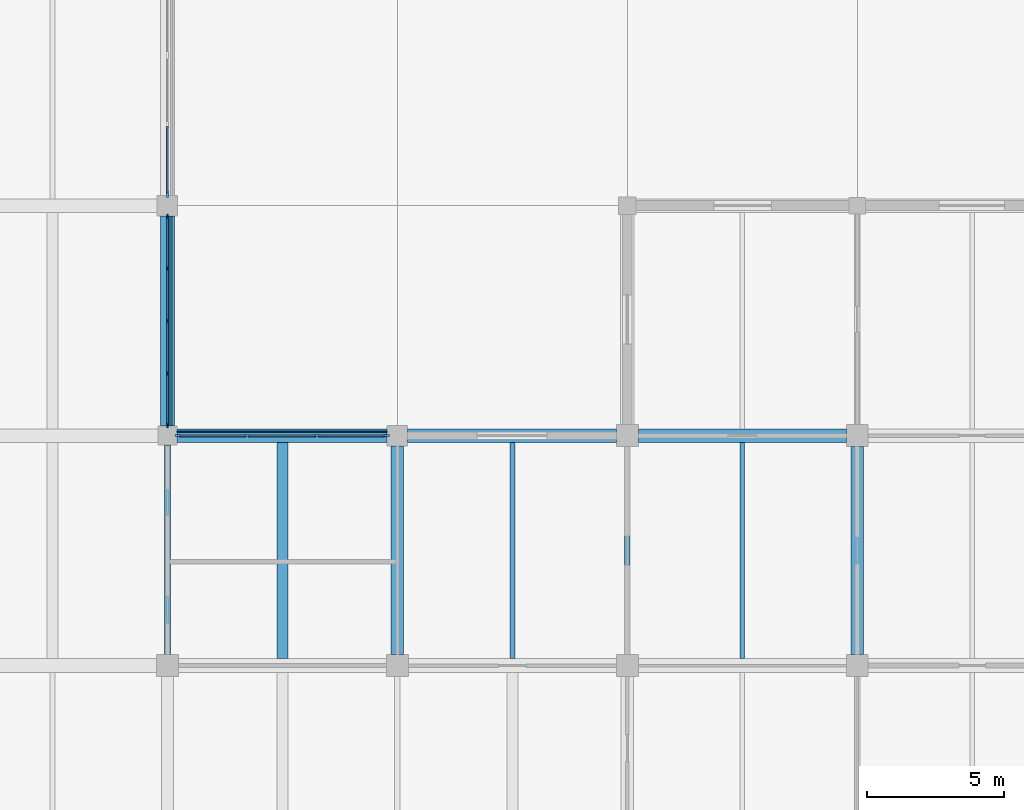
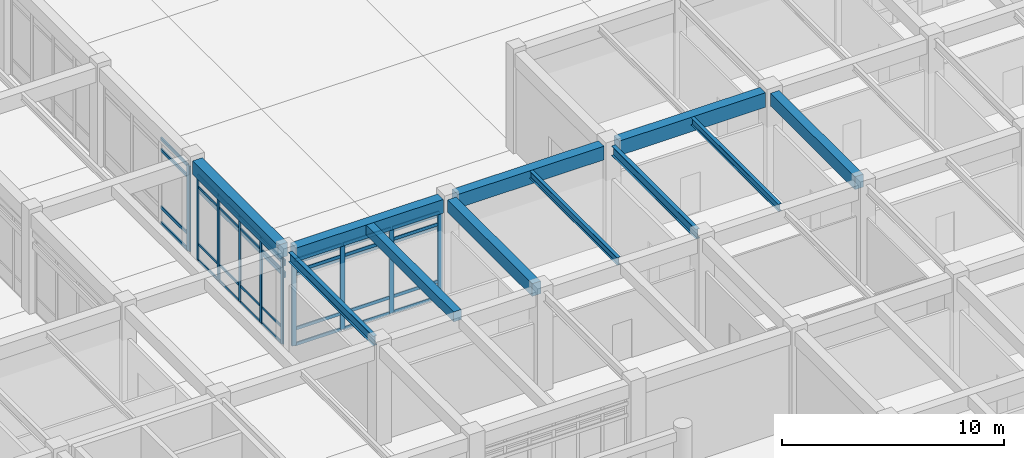
# One storey, part 38 of 91: 46 members, 11 beams, 3 elements without a shape of their own.
"""IFC4 building model written with IfcOpenShell, lengths in metres."""

from ifc_helpers import new_model, si_unit, direction, frame, origin, origin_2d, place, context, subcontext, project, spatial, rectangle, i_section, extrude, material, layer, layer_set, material_profile, profile_set, type_object, element, aggregate, save


model = new_model("IFC4")

# Units and contexts
model_context = context("Model", 3, precision=1e-05, world=origin(), true_north=direction((0.0, 1.0)))
body_context = subcontext(model_context, "Body", "Model", "MODEL_VIEW")
ifc_project = project(units=[si_unit("LENGTHUNIT", "METRE"), si_unit("AREAUNIT", "SQUARE_METRE"), si_unit("VOLUMEUNIT", "CUBIC_METRE"), si_unit("PLANEANGLEUNIT", "RADIAN"), si_unit("MASSUNIT", "GRAM", prefix="KILO")], contexts=[model_context])

# Site, building, storey
site_placement = place(None, origin())
site = spatial("IfcSite", under=ifc_project, at=site_placement, CompositionType="ELEMENT")
building_placement = place(site_placement, origin())
building = spatial("IfcBuilding", under=site, at=building_placement, Name="Porcellanite Civic Hall", CompositionType="ELEMENT")
storey_placement = place(building_placement, origin())
storey = spatial("IfcBuildingStorey", under=building, at=storey_placement, Name="L00", CompositionType="ELEMENT", Elevation=0.0)

# Beams
ifc_material_1 = material(Name="Concrete N50 (50 MPa)", Category="concrete")
ifc_material_profile_1 = material_profile(ifc_material_1, rectangle(XDim=0.39990234375, YDim=0.550048828125, at=origin_2d()), Name="RC-400x550")
ifc_profile_set_1 = profile_set([ifc_material_profile_1], Name="Concrete N50 (50 MPa)")
beam_type_1 = type_object("IfcBeamType", Name="BM-RC550", PredefinedType="JOIST", material=ifc_profile_set_1)
beam_1_placement = place(storey_placement, frame((130.199951171875, 59.049560546875, 5.22509765625), z_axis=(0.0, 1.0, 0.0), x_axis=(-1.0, 0.0, 0.0)))
element("IfcBeam", 1, at=beam_1_placement, inside=storey, type_object=beam_type_1, Name="Secondary joist L00 16-8", PredefinedType="JOIST", context=body_context, shape_type="SweptSolid", body=[
    extrude(rectangle(XDim=0.39990234375, YDim=0.550048828125, at=origin_2d()), origin(), (0.0, 0.0, 1.0), 7.90087890625),
])
ifc_material_2 = material(Name="Concrete N50 (50 MPa)", Category="concrete")
ifc_material_profile_2 = material_profile(ifc_material_2, rectangle(XDim=0.449951171875, YDim=0.699951171875, at=origin_2d()), Name="RC-450x700")
ifc_profile_set_2 = profile_set([ifc_material_profile_2], Name="Concrete N50 (50 MPa)")
beam_type_2 = type_object("IfcBeamType", Name="BM-RC700", PredefinedType="BEAM", material=ifc_profile_set_2)
beam_2_placement = place(storey_placement, frame((134.39990234375, 59.199462890625, 5.14990234375), z_axis=(0.0, 1.0, 0.0), x_axis=(-1.0, 0.0, 0.0)))
element("IfcBeam", 2, at=beam_2_placement, inside=storey, type_object=beam_type_2, Name="Beam Y L00 17-8", PredefinedType="BEAM", context=body_context, shape_type="SweptSolid", body=[
    extrude(rectangle(XDim=0.449951171875, YDim=0.699951171875, at=origin_2d()), origin(), (0.0, 0.0, 1.0), 7.6259765625),
])
beam_3_placement = place(storey_placement, frame((151.199951171875, 59.199462890625, 5.14990234375), z_axis=(0.0, 1.0, 0.0), x_axis=(-1.0, 0.0, 0.0)))
element("IfcBeam", 3, at=beam_3_placement, inside=storey, type_object=beam_type_2, Name="Beam Y L00 19-8", PredefinedType="BEAM", context=body_context, shape_type="SweptSolid", body=[
    extrude(rectangle(XDim=0.449951171875, YDim=0.699951171875, at=origin_2d()), origin(), (0.0, 0.0, 1.0), 7.60107421875),
])
ifc_material_3 = material(Name="Concrete N50 (50 MPa)", Category="concrete")
ifc_material_profile_3 = material_profile(ifc_material_3, rectangle(XDim=0.5, YDim=0.75, at=origin_2d()), Name="RC-500x750")
ifc_profile_set_3 = profile_set([ifc_material_profile_3], Name="Concrete N50 (50 MPa)")
beam_type_3 = type_object("IfcBeamType", Name="BM-RC750", PredefinedType="SPANDREL", material=ifc_profile_set_3)
beam_4_placement = place(storey_placement, frame((126.349609375, 67.199951171875, 5.125), z_axis=(1.0, 0.0, 0.0), x_axis=(0.0, 1.0, 0.0)))
element("IfcBeam", 4, at=beam_4_placement, inside=storey, type_object=beam_type_3, Name="Beam X L00 16-9", PredefinedType="SPANDREL", context=body_context, shape_type="SweptSolid", body=[
    extrude(rectangle(XDim=0.5, YDim=0.75, at=origin_2d()), origin(), (0.0, 0.0, 1.0), 7.67578125),
])
beam_5_placement = place(storey_placement, frame((134.7744140625, 67.199951171875, 5.125), z_axis=(1.0, 0.0, 0.0), x_axis=(0.0, 1.0, 0.0)))
element("IfcBeam", 5, at=beam_5_placement, inside=storey, type_object=beam_type_3, Name="Beam X L00 17-9", PredefinedType="SPANDREL", context=body_context, shape_type="SweptSolid", body=[
    extrude(rectangle(XDim=0.5, YDim=0.75, at=origin_2d()), origin(), (0.0, 0.0, 1.0), 7.6259765625),
])
beam_6_placement = place(storey_placement, frame((126.0, 67.549560546875, 5.125), z_axis=(0.0, 1.0, 0.0), x_axis=(-1.0, 0.0, 0.0)))
element("IfcBeam", 6, at=beam_6_placement, inside=storey, type_object=beam_type_3, Name="Beam Y L00 16-9", PredefinedType="SPANDREL", context=body_context, shape_type="SweptSolid", body=[
    extrude(rectangle(XDim=0.5, YDim=0.75, at=origin_2d()), origin(), (0.0, 0.0, 1.0), 7.676025390625),
])
ifc_material_4 = material(Name="Concrete N50 (50 MPa)", Category="concrete")
ifc_material_profile_4 = material_profile(ifc_material_4, rectangle(XDim=0.5, YDim=0.800048828125, at=origin_2d()), Name="RC-500x800")
ifc_profile_set_4 = profile_set([ifc_material_profile_4], Name="Concrete N50 (50 MPa)")
beam_type_4 = type_object("IfcBeamType", Name="BM-RC800", PredefinedType="BEAM", material=ifc_profile_set_4)
beam_7_placement = place(storey_placement, frame((143.199462890625, 67.199951171875, 5.10009765625), z_axis=(1.0, 0.0, 0.0), x_axis=(0.0, 1.0, 0.0)))
element("IfcBeam", 7, at=beam_7_placement, inside=storey, type_object=beam_type_4, Name="Beam X L00 18-9", PredefinedType="BEAM", context=body_context, shape_type="SweptSolid", body=[
    extrude(rectangle(XDim=0.5, YDim=0.800048828125, at=origin_2d()), origin(), (0.0, 0.0, 1.0), 7.60107421875),
])

# Curtain wall, member
ifc_material_5 = material(Name="Anodised aluminium and solar laminated glass", Category="aluminium")
ifc_layer_1 = layer(ifc_material_5, 0.179931640625)
ifc_layer_set_1 = layer_set([ifc_layer_1], Name="Anodised aluminium and solar laminated glass")
curtain_wall_type_1 = type_object("IfcCurtainWallType", Name="CW-SYS08", PredefinedType="NOTDEFINED", material=ifc_layer_set_1)
curtain_wall_1_placement = place(storey_placement, origin())
curtain_wall_1 = element("IfcCurtainWall", 8, at=curtain_wall_1_placement, inside=storey, type_object=curtain_wall_type_1, Name="Curtain wall CW-040", PredefinedType="NOTDEFINED")
ifc_material_6 = material(Name="Anodised aluminium 6063-T6", Category="aluminium")
ifc_material_profile_5 = material_profile(ifc_material_6, rectangle(XDim=0.080078125, YDim=0.239990234375, at=origin_2d()), Name="AL-80x240")
ifc_profile_set_5 = profile_set([ifc_material_profile_5], Name="Anodised aluminium 6063-T6")
member_type_1 = type_object("IfcMemberType", Name="CWM-01", PredefinedType="MULLION", material=ifc_profile_set_5)
member_1_placement = place(storey_placement, frame((126.0, 76.01611328125, 0.0), z_axis=(0.0, 0.0, 1.0), x_axis=(1.0, 0.0, 0.0)))
member_1 = element("IfcMember", 9, at=member_1_placement, type_object=member_type_1, Name="CW-040 mullion 4", PredefinedType="MULLION", context=body_context, shape_type="SweptSolid", body=[
    extrude(rectangle(XDim=0.080078125, YDim=0.239990234375, at=origin_2d()), origin(), (0.0, 0.0, 1.0), 4.699951171875),
])

# Curtain wall, members
curtain_wall_2_placement = place(storey_placement, origin())
curtain_wall_2 = element("IfcCurtainWall", 10, at=curtain_wall_2_placement, inside=storey, type_object=curtain_wall_type_1, Name="Curtain wall CW-046", PredefinedType="NOTDEFINED")
member_2_placement = place(storey_placement, frame((126.39111328125, 67.199951171875, 0.0), z_axis=(0.0, 0.0, 1.0), x_axis=(0.0, 1.0, 0.0)))
member_2 = element("IfcMember", 11, at=member_2_placement, type_object=member_type_1, Name="CW-046 mullion 1", PredefinedType="MULLION", context=body_context, shape_type="SweptSolid", body=[
    extrude(rectangle(XDim=0.080078125, YDim=0.239990234375, at=origin_2d()), origin(), (0.0, 0.0, 1.0), 4.699951171875),
])
member_3_placement = place(storey_placement, frame((128.90869140625, 67.199951171875, 0.0), z_axis=(0.0, 0.0, 1.0), x_axis=(0.0, 1.0, 0.0)))
member_3 = element("IfcMember", 12, at=member_3_placement, type_object=member_type_1, Name="CW-046 mullion 2", PredefinedType="MULLION", context=body_context, shape_type="SweptSolid", body=[
    extrude(rectangle(XDim=0.080078125, YDim=0.239990234375, at=origin_2d()), origin(), (0.0, 0.0, 1.0), 4.699951171875),
])
member_4_placement = place(storey_placement, frame((131.46630859375, 67.199951171875, 0.0), z_axis=(0.0, 0.0, 1.0), x_axis=(0.0, 1.0, 0.0)))
member_4 = element("IfcMember", 13, at=member_4_placement, type_object=member_type_1, Name="CW-046 mullion 3", PredefinedType="MULLION", context=body_context, shape_type="SweptSolid", body=[
    extrude(rectangle(XDim=0.080078125, YDim=0.239990234375, at=origin_2d()), origin(), (0.0, 0.0, 1.0), 4.699951171875),
])
member_5_placement = place(storey_placement, frame((133.98388671875, 67.199951171875, 0.0), z_axis=(0.0, 0.0, 1.0), x_axis=(0.0, 1.0, 0.0)))
member_5 = element("IfcMember", 14, at=member_5_placement, type_object=member_type_1, Name="CW-046 mullion 4", PredefinedType="MULLION", context=body_context, shape_type="SweptSolid", body=[
    extrude(rectangle(XDim=0.080078125, YDim=0.239990234375, at=origin_2d()), origin(), (0.0, 0.0, 1.0), 4.699951171875),
])

ifc_material_7 = material(Name="Anodised aluminium and solar laminated glass", Category="aluminium")
ifc_layer_2 = layer(ifc_material_7, 0.179931640625)
ifc_layer_set_2 = layer_set([ifc_layer_2], Name="Anodised aluminium and solar laminated glass")
curtain_wall_type_2 = type_object("IfcCurtainWallType", Name="CW-SYS06", PredefinedType="NOTDEFINED", material=ifc_layer_set_2)
curtain_wall_3_placement = place(storey_placement, origin())
curtain_wall_3 = element("IfcCurtainWall", 15, at=curtain_wall_3_placement, inside=storey, type_object=curtain_wall_type_2, Name="Curtain wall CW-038", PredefinedType="NOTDEFINED")
ifc_material_8 = material(Name="Anodised aluminium 6063-T6", Category="aluminium")
ifc_material_profile_6 = material_profile(ifc_material_8, rectangle(XDim=0.06494140625, YDim=0.179931640625, at=origin_2d()), Name="AL-65x180")
ifc_profile_set_6 = profile_set([ifc_material_profile_6], Name="Anodised aluminium 6063-T6")
member_type_2 = type_object("IfcMemberType", Name="CWM-06", PredefinedType="MULLION", material=ifc_profile_set_6)
member_6_placement = place(storey_placement, frame((126.0, 75.19140625, 0.0), z_axis=(0.0, 0.0, 1.0), x_axis=(1.0, 0.0, 0.0)))
member_6 = element("IfcMember", 16, at=member_6_placement, type_object=member_type_2, Name="CW-038 mullion 1", PredefinedType="MULLION", context=body_context, shape_type="SweptSolid", body=[
    extrude(rectangle(XDim=0.06494140625, YDim=0.179931640625, at=origin_2d()), origin(), (0.0, 0.0, 1.0), 4.699951171875),
])
member_7_placement = place(storey_placement, frame((126.0, 73.3056640625, 0.0), z_axis=(0.0, 0.0, 1.0), x_axis=(1.0, 0.0, 0.0)))
member_7 = element("IfcMember", 17, at=member_7_placement, type_object=member_type_2, Name="CW-038 mullion 2", PredefinedType="MULLION", context=body_context, shape_type="SweptSolid", body=[
    extrude(rectangle(XDim=0.06494140625, YDim=0.179931640625, at=origin_2d()), origin(), (0.0, 0.0, 1.0), 4.699951171875),
])
member_8_placement = place(storey_placement, frame((126.0, 71.387451171875, 0.0), z_axis=(0.0, 0.0, 1.0), x_axis=(1.0, 0.0, 0.0)))
member_8 = element("IfcMember", 18, at=member_8_placement, type_object=member_type_2, Name="CW-038 mullion 3", PredefinedType="MULLION", context=body_context, shape_type="SweptSolid", body=[
    extrude(rectangle(XDim=0.06494140625, YDim=0.179931640625, at=origin_2d()), origin(), (0.0, 0.0, 1.0), 4.699951171875),
])
member_9_placement = place(storey_placement, frame((126.0, 69.46923828125, 0.0), z_axis=(0.0, 0.0, 1.0), x_axis=(1.0, 0.0, 0.0)))
member_9 = element("IfcMember", 19, at=member_9_placement, type_object=member_type_2, Name="CW-038 mullion 4", PredefinedType="MULLION", context=body_context, shape_type="SweptSolid", body=[
    extrude(rectangle(XDim=0.06494140625, YDim=0.179931640625, at=origin_2d()), origin(), (0.0, 0.0, 1.0), 4.699951171875),
])
member_10_placement = place(storey_placement, frame((126.0, 67.58349609375, 0.0), z_axis=(0.0, 0.0, 1.0), x_axis=(1.0, 0.0, 0.0)))
member_10 = element("IfcMember", 20, at=member_10_placement, type_object=member_type_2, Name="CW-038 mullion 5", PredefinedType="MULLION", context=body_context, shape_type="SweptSolid", body=[
    extrude(rectangle(XDim=0.06494140625, YDim=0.179931640625, at=origin_2d()), origin(), (0.0, 0.0, 1.0), 4.699951171875),
])

# Member
ifc_material_9 = material(Name="Anodised aluminium 6063-T6", Category="aluminium")
ifc_material_profile_7 = material_profile(ifc_material_9, rectangle(XDim=0.070068359375, YDim=0.175048828125, at=origin_2d()), Name="AL-70x175")
ifc_profile_set_7 = profile_set([ifc_material_profile_7], Name="Anodised aluminium 6063-T6")
member_type_3 = type_object("IfcMemberType", Name="CWT-01", PredefinedType="USERDEFINED", material=ifc_profile_set_7)
member_11_placement = place(storey_placement, frame((126.0, 78.49365234375, 0.034912109375), z_axis=(0.0, -1.0, 0.0), x_axis=(1.0, 0.0, 0.0)))
member_11 = element("IfcMember", 21, at=member_11_placement, type_object=member_type_3, Name="CW-040 transom 3.1", ObjectType="TRANSOM", PredefinedType="USERDEFINED", context=body_context, shape_type="SweptSolid", body=[
    extrude(rectangle(XDim=0.070068359375, YDim=0.175048828125, at=origin_2d()), origin(), (0.0, 0.0, 1.0), 2.437744140625),
])

member_12_placement = place(storey_placement, frame((126.0, 78.49365234375, 0.89990234375), z_axis=(0.0, -1.0, 0.0), x_axis=(1.0, 0.0, 0.0)))
member_12 = element("IfcMember", 22, at=member_12_placement, type_object=member_type_3, Name="CW-040 transom 3.2", ObjectType="TRANSOM", PredefinedType="USERDEFINED", context=body_context, shape_type="SweptSolid", body=[
    extrude(rectangle(XDim=0.070068359375, YDim=0.175048828125, at=origin_2d()), origin(), (0.0, 0.0, 1.0), 2.437744140625),
])

member_13_placement = place(storey_placement, frame((126.0, 78.49365234375, 4.050048828125), z_axis=(0.0, -1.0, 0.0), x_axis=(1.0, 0.0, 0.0)))
member_13 = element("IfcMember", 23, at=member_13_placement, type_object=member_type_3, Name="CW-040 transom 3.3", ObjectType="TRANSOM", PredefinedType="USERDEFINED", context=body_context, shape_type="SweptSolid", body=[
    extrude(rectangle(XDim=0.070068359375, YDim=0.175048828125, at=origin_2d()), origin(), (0.0, 0.0, 1.0), 2.437744140625),
])

member_14_placement = place(storey_placement, frame((126.0, 78.49365234375, 4.6650390625), z_axis=(0.0, -1.0, 0.0), x_axis=(1.0, 0.0, 0.0)))
member_14 = element("IfcMember", 24, at=member_14_placement, type_object=member_type_3, Name="CW-040 transom 3.4", ObjectType="TRANSOM", PredefinedType="USERDEFINED", context=body_context, shape_type="SweptSolid", body=[
    extrude(rectangle(XDim=0.070068359375, YDim=0.175048828125, at=origin_2d()), origin(), (0.0, 0.0, 1.0), 2.437744140625),
])

aggregate(curtain_wall_1, [member_1, member_11, member_12, member_13, member_14])

member_15_placement = place(storey_placement, frame((126.430908203125, 67.199951171875, 0.034912109375), z_axis=(1.0, 0.0, 0.0), x_axis=(0.0, 1.0, 0.0)))
member_15 = element("IfcMember", 25, at=member_15_placement, type_object=member_type_3, Name="CW-046 transom 1.1", ObjectType="TRANSOM", PredefinedType="USERDEFINED", context=body_context, shape_type="SweptSolid", body=[
    extrude(rectangle(XDim=0.070068359375, YDim=0.175048828125, at=origin_2d()), origin(), (0.0, 0.0, 1.0), 2.437744140625),
])

member_16_placement = place(storey_placement, frame((126.430908203125, 67.199951171875, 0.89990234375), z_axis=(1.0, 0.0, 0.0), x_axis=(0.0, 1.0, 0.0)))
member_16 = element("IfcMember", 26, at=member_16_placement, type_object=member_type_3, Name="CW-046 transom 1.2", ObjectType="TRANSOM", PredefinedType="USERDEFINED", context=body_context, shape_type="SweptSolid", body=[
    extrude(rectangle(XDim=0.070068359375, YDim=0.175048828125, at=origin_2d()), origin(), (0.0, 0.0, 1.0), 2.437744140625),
])

member_17_placement = place(storey_placement, frame((126.430908203125, 67.199951171875, 4.050048828125), z_axis=(1.0, 0.0, 0.0), x_axis=(0.0, 1.0, 0.0)))
member_17 = element("IfcMember", 27, at=member_17_placement, type_object=member_type_3, Name="CW-046 transom 1.3", ObjectType="TRANSOM", PredefinedType="USERDEFINED", context=body_context, shape_type="SweptSolid", body=[
    extrude(rectangle(XDim=0.070068359375, YDim=0.175048828125, at=origin_2d()), origin(), (0.0, 0.0, 1.0), 2.437744140625),
])

member_18_placement = place(storey_placement, frame((126.430908203125, 67.199951171875, 4.6650390625), z_axis=(1.0, 0.0, 0.0), x_axis=(0.0, 1.0, 0.0)))
member_18 = element("IfcMember", 28, at=member_18_placement, type_object=member_type_3, Name="CW-046 transom 1.4", ObjectType="TRANSOM", PredefinedType="USERDEFINED", context=body_context, shape_type="SweptSolid", body=[
    extrude(rectangle(XDim=0.070068359375, YDim=0.175048828125, at=origin_2d()), origin(), (0.0, 0.0, 1.0), 2.437744140625),
])

member_19_placement = place(storey_placement, frame((128.94873046875, 67.199951171875, 0.034912109375), z_axis=(1.0, 0.0, 0.0), x_axis=(0.0, 1.0, 0.0)))
member_19 = element("IfcMember", 29, at=member_19_placement, type_object=member_type_3, Name="CW-046 transom 2.1", ObjectType="TRANSOM", PredefinedType="USERDEFINED", context=body_context, shape_type="SweptSolid", body=[
    extrude(rectangle(XDim=0.070068359375, YDim=0.175048828125, at=origin_2d()), origin(), (0.0, 0.0, 1.0), 2.4775390625),
])

member_20_placement = place(storey_placement, frame((128.94873046875, 67.199951171875, 0.89990234375), z_axis=(1.0, 0.0, 0.0), x_axis=(0.0, 1.0, 0.0)))
member_20 = element("IfcMember", 30, at=member_20_placement, type_object=member_type_3, Name="CW-046 transom 2.2", ObjectType="TRANSOM", PredefinedType="USERDEFINED", context=body_context, shape_type="SweptSolid", body=[
    extrude(rectangle(XDim=0.070068359375, YDim=0.175048828125, at=origin_2d()), origin(), (0.0, 0.0, 1.0), 2.4775390625),
])

member_21_placement = place(storey_placement, frame((128.94873046875, 67.199951171875, 4.050048828125), z_axis=(1.0, 0.0, 0.0), x_axis=(0.0, 1.0, 0.0)))
member_21 = element("IfcMember", 31, at=member_21_placement, type_object=member_type_3, Name="CW-046 transom 2.3", ObjectType="TRANSOM", PredefinedType="USERDEFINED", context=body_context, shape_type="SweptSolid", body=[
    extrude(rectangle(XDim=0.070068359375, YDim=0.175048828125, at=origin_2d()), origin(), (0.0, 0.0, 1.0), 2.4775390625),
])

member_22_placement = place(storey_placement, frame((128.94873046875, 67.199951171875, 4.6650390625), z_axis=(1.0, 0.0, 0.0), x_axis=(0.0, 1.0, 0.0)))
member_22 = element("IfcMember", 32, at=member_22_placement, type_object=member_type_3, Name="CW-046 transom 2.4", ObjectType="TRANSOM", PredefinedType="USERDEFINED", context=body_context, shape_type="SweptSolid", body=[
    extrude(rectangle(XDim=0.070068359375, YDim=0.175048828125, at=origin_2d()), origin(), (0.0, 0.0, 1.0), 2.4775390625),
])

member_23_placement = place(storey_placement, frame((131.50634765625, 67.199951171875, 0.034912109375), z_axis=(1.0, 0.0, 0.0), x_axis=(0.0, 1.0, 0.0)))
member_23 = element("IfcMember", 33, at=member_23_placement, type_object=member_type_3, Name="CW-046 transom 3.1", ObjectType="TRANSOM", PredefinedType="USERDEFINED", context=body_context, shape_type="SweptSolid", body=[
    extrude(rectangle(XDim=0.070068359375, YDim=0.175048828125, at=origin_2d()), origin(), (0.0, 0.0, 1.0), 2.437744140625),
])

member_24_placement = place(storey_placement, frame((131.50634765625, 67.199951171875, 0.89990234375), z_axis=(1.0, 0.0, 0.0), x_axis=(0.0, 1.0, 0.0)))
member_24 = element("IfcMember", 34, at=member_24_placement, type_object=member_type_3, Name="CW-046 transom 3.2", ObjectType="TRANSOM", PredefinedType="USERDEFINED", context=body_context, shape_type="SweptSolid", body=[
    extrude(rectangle(XDim=0.070068359375, YDim=0.175048828125, at=origin_2d()), origin(), (0.0, 0.0, 1.0), 2.437744140625),
])

member_25_placement = place(storey_placement, frame((131.50634765625, 67.199951171875, 4.050048828125), z_axis=(1.0, 0.0, 0.0), x_axis=(0.0, 1.0, 0.0)))
member_25 = element("IfcMember", 35, at=member_25_placement, type_object=member_type_3, Name="CW-046 transom 3.3", ObjectType="TRANSOM", PredefinedType="USERDEFINED", context=body_context, shape_type="SweptSolid", body=[
    extrude(rectangle(XDim=0.070068359375, YDim=0.175048828125, at=origin_2d()), origin(), (0.0, 0.0, 1.0), 2.437744140625),
])

member_26_placement = place(storey_placement, frame((131.50634765625, 67.199951171875, 4.6650390625), z_axis=(1.0, 0.0, 0.0), x_axis=(0.0, 1.0, 0.0)))
member_26 = element("IfcMember", 36, at=member_26_placement, type_object=member_type_3, Name="CW-046 transom 3.4", ObjectType="TRANSOM", PredefinedType="USERDEFINED", context=body_context, shape_type="SweptSolid", body=[
    extrude(rectangle(XDim=0.070068359375, YDim=0.175048828125, at=origin_2d()), origin(), (0.0, 0.0, 1.0), 2.437744140625),
])

aggregate(curtain_wall_2, [member_2, member_3, member_4, member_5, member_15, member_16, member_17, member_18, member_19, member_20, member_21, member_22, member_23, member_24, member_25, member_26])

ifc_material_10 = material(Name="Anodised aluminium 6063-T6", Category="aluminium")
ifc_material_profile_8 = material_profile(ifc_material_10, rectangle(XDim=0.050048828125, YDim=0.139892578125, at=origin_2d()), Name="AL-50x140")
ifc_profile_set_8 = profile_set([ifc_material_profile_8], Name="Anodised aluminium 6063-T6")
member_type_4 = type_object("IfcMemberType", Name="CWT-06", PredefinedType="USERDEFINED", material=ifc_profile_set_8)
member_27_placement = place(storey_placement, frame((126.0, 75.158935546875, 0.02490234375), z_axis=(0.0, -1.0, 0.0), x_axis=(1.0, 0.0, 0.0)))
member_27 = element("IfcMember", 37, at=member_27_placement, type_object=member_type_4, Name="CW-038 transom 1.1", ObjectType="TRANSOM", PredefinedType="USERDEFINED", context=body_context, shape_type="SweptSolid", body=[
    extrude(rectangle(XDim=0.050048828125, YDim=0.139892578125, at=origin_2d()), origin(), (0.0, 0.0, 1.0), 1.82080078125),
])

member_28_placement = place(storey_placement, frame((126.0, 75.158935546875, 0.89990234375), z_axis=(0.0, -1.0, 0.0), x_axis=(1.0, 0.0, 0.0)))
member_28 = element("IfcMember", 38, at=member_28_placement, type_object=member_type_4, Name="CW-038 transom 1.2", ObjectType="TRANSOM", PredefinedType="USERDEFINED", context=body_context, shape_type="SweptSolid", body=[
    extrude(rectangle(XDim=0.050048828125, YDim=0.139892578125, at=origin_2d()), origin(), (0.0, 0.0, 1.0), 1.82080078125),
])

member_29_placement = place(storey_placement, frame((126.0, 75.158935546875, 4.050048828125), z_axis=(0.0, -1.0, 0.0), x_axis=(1.0, 0.0, 0.0)))
member_29 = element("IfcMember", 39, at=member_29_placement, type_object=member_type_4, Name="CW-038 transom 1.3", ObjectType="TRANSOM", PredefinedType="USERDEFINED", context=body_context, shape_type="SweptSolid", body=[
    extrude(rectangle(XDim=0.050048828125, YDim=0.139892578125, at=origin_2d()), origin(), (0.0, 0.0, 1.0), 1.82080078125),
])

member_30_placement = place(storey_placement, frame((126.0, 75.158935546875, 4.675048828125), z_axis=(0.0, -1.0, 0.0), x_axis=(1.0, 0.0, 0.0)))
member_30 = element("IfcMember", 40, at=member_30_placement, type_object=member_type_4, Name="CW-038 transom 1.4", ObjectType="TRANSOM", PredefinedType="USERDEFINED", context=body_context, shape_type="SweptSolid", body=[
    extrude(rectangle(XDim=0.050048828125, YDim=0.139892578125, at=origin_2d()), origin(), (0.0, 0.0, 1.0), 1.82080078125),
])

member_31_placement = place(storey_placement, frame((126.0, 73.273193359375, 0.02490234375), z_axis=(0.0, -1.0, 0.0), x_axis=(1.0, 0.0, 0.0)))
member_31 = element("IfcMember", 41, at=member_31_placement, type_object=member_type_4, Name="CW-038 transom 2.1", ObjectType="TRANSOM", PredefinedType="USERDEFINED", context=body_context, shape_type="SweptSolid", body=[
    extrude(rectangle(XDim=0.050048828125, YDim=0.139892578125, at=origin_2d()), origin(), (0.0, 0.0, 1.0), 1.853271484375),
])

member_32_placement = place(storey_placement, frame((126.0, 73.273193359375, 0.89990234375), z_axis=(0.0, -1.0, 0.0), x_axis=(1.0, 0.0, 0.0)))
member_32 = element("IfcMember", 42, at=member_32_placement, type_object=member_type_4, Name="CW-038 transom 2.2", ObjectType="TRANSOM", PredefinedType="USERDEFINED", context=body_context, shape_type="SweptSolid", body=[
    extrude(rectangle(XDim=0.050048828125, YDim=0.139892578125, at=origin_2d()), origin(), (0.0, 0.0, 1.0), 1.853271484375),
])

member_33_placement = place(storey_placement, frame((126.0, 73.273193359375, 4.050048828125), z_axis=(0.0, -1.0, 0.0), x_axis=(1.0, 0.0, 0.0)))
member_33 = element("IfcMember", 43, at=member_33_placement, type_object=member_type_4, Name="CW-038 transom 2.3", ObjectType="TRANSOM", PredefinedType="USERDEFINED", context=body_context, shape_type="SweptSolid", body=[
    extrude(rectangle(XDim=0.050048828125, YDim=0.139892578125, at=origin_2d()), origin(), (0.0, 0.0, 1.0), 1.853271484375),
])

member_34_placement = place(storey_placement, frame((126.0, 73.273193359375, 4.675048828125), z_axis=(0.0, -1.0, 0.0), x_axis=(1.0, 0.0, 0.0)))
member_34 = element("IfcMember", 44, at=member_34_placement, type_object=member_type_4, Name="CW-038 transom 2.4", ObjectType="TRANSOM", PredefinedType="USERDEFINED", context=body_context, shape_type="SweptSolid", body=[
    extrude(rectangle(XDim=0.050048828125, YDim=0.139892578125, at=origin_2d()), origin(), (0.0, 0.0, 1.0), 1.853271484375),
])

member_35_placement = place(storey_placement, frame((126.0, 71.35498046875, 0.02490234375), z_axis=(0.0, -1.0, 0.0), x_axis=(1.0, 0.0, 0.0)))
member_35 = element("IfcMember", 45, at=member_35_placement, type_object=member_type_4, Name="CW-038 transom 3.1", ObjectType="TRANSOM", PredefinedType="USERDEFINED", context=body_context, shape_type="SweptSolid", body=[
    extrude(rectangle(XDim=0.050048828125, YDim=0.139892578125, at=origin_2d()), origin(), (0.0, 0.0, 1.0), 1.853271484375),
])

member_36_placement = place(storey_placement, frame((126.0, 71.35498046875, 0.89990234375), z_axis=(0.0, -1.0, 0.0), x_axis=(1.0, 0.0, 0.0)))
member_36 = element("IfcMember", 46, at=member_36_placement, type_object=member_type_4, Name="CW-038 transom 3.2", ObjectType="TRANSOM", PredefinedType="USERDEFINED", context=body_context, shape_type="SweptSolid", body=[
    extrude(rectangle(XDim=0.050048828125, YDim=0.139892578125, at=origin_2d()), origin(), (0.0, 0.0, 1.0), 1.853271484375),
])

member_37_placement = place(storey_placement, frame((126.0, 71.35498046875, 4.050048828125), z_axis=(0.0, -1.0, 0.0), x_axis=(1.0, 0.0, 0.0)))
member_37 = element("IfcMember", 47, at=member_37_placement, type_object=member_type_4, Name="CW-038 transom 3.3", ObjectType="TRANSOM", PredefinedType="USERDEFINED", context=body_context, shape_type="SweptSolid", body=[
    extrude(rectangle(XDim=0.050048828125, YDim=0.139892578125, at=origin_2d()), origin(), (0.0, 0.0, 1.0), 1.853271484375),
])

member_38_placement = place(storey_placement, frame((126.0, 71.35498046875, 4.675048828125), z_axis=(0.0, -1.0, 0.0), x_axis=(1.0, 0.0, 0.0)))
member_38 = element("IfcMember", 48, at=member_38_placement, type_object=member_type_4, Name="CW-038 transom 3.4", ObjectType="TRANSOM", PredefinedType="USERDEFINED", context=body_context, shape_type="SweptSolid", body=[
    extrude(rectangle(XDim=0.050048828125, YDim=0.139892578125, at=origin_2d()), origin(), (0.0, 0.0, 1.0), 1.853271484375),
])

member_39_placement = place(storey_placement, frame((126.0, 69.436767578125, 0.02490234375), z_axis=(0.0, -1.0, 0.0), x_axis=(1.0, 0.0, 0.0)))
member_39 = element("IfcMember", 49, at=member_39_placement, type_object=member_type_4, Name="CW-038 transom 4.1", ObjectType="TRANSOM", PredefinedType="USERDEFINED", context=body_context, shape_type="SweptSolid", body=[
    extrude(rectangle(XDim=0.050048828125, YDim=0.139892578125, at=origin_2d()), origin(), (0.0, 0.0, 1.0), 1.82080078125),
])

member_40_placement = place(storey_placement, frame((126.0, 69.436767578125, 0.89990234375), z_axis=(0.0, -1.0, 0.0), x_axis=(1.0, 0.0, 0.0)))
member_40 = element("IfcMember", 50, at=member_40_placement, type_object=member_type_4, Name="CW-038 transom 4.2", ObjectType="TRANSOM", PredefinedType="USERDEFINED", context=body_context, shape_type="SweptSolid", body=[
    extrude(rectangle(XDim=0.050048828125, YDim=0.139892578125, at=origin_2d()), origin(), (0.0, 0.0, 1.0), 1.82080078125),
])

member_41_placement = place(storey_placement, frame((126.0, 69.436767578125, 4.050048828125), z_axis=(0.0, -1.0, 0.0), x_axis=(1.0, 0.0, 0.0)))
member_41 = element("IfcMember", 51, at=member_41_placement, type_object=member_type_4, Name="CW-038 transom 4.3", ObjectType="TRANSOM", PredefinedType="USERDEFINED", context=body_context, shape_type="SweptSolid", body=[
    extrude(rectangle(XDim=0.050048828125, YDim=0.139892578125, at=origin_2d()), origin(), (0.0, 0.0, 1.0), 1.82080078125),
])

member_42_placement = place(storey_placement, frame((126.0, 69.436767578125, 4.675048828125), z_axis=(0.0, -1.0, 0.0), x_axis=(1.0, 0.0, 0.0)))
member_42 = element("IfcMember", 52, at=member_42_placement, type_object=member_type_4, Name="CW-038 transom 4.4", ObjectType="TRANSOM", PredefinedType="USERDEFINED", context=body_context, shape_type="SweptSolid", body=[
    extrude(rectangle(XDim=0.050048828125, YDim=0.139892578125, at=origin_2d()), origin(), (0.0, 0.0, 1.0), 1.82080078125),
])

aggregate(curtain_wall_3, [member_6, member_7, member_8, member_9, member_10, member_27, member_28, member_29, member_30, member_31, member_32, member_33, member_34, member_35, member_36, member_37, member_38, member_39, member_40, member_41, member_42])

# Beams
ifc_material_11 = material(Name="Steel Grade 350", Category="steel")
ifc_material_profile_9 = material_profile(ifc_material_11, i_section(OverallWidth=0.177978515625, OverallDepth=0.403076171875, WebThickness=0.007568359375, FlangeThickness=0.010986328125, FilletRadius=0.011474609375, at=origin_2d()), Name="410UB53.7")
ifc_profile_set_9 = profile_set([ifc_material_profile_9], Name="Steel Grade 350")
beam_type_5 = type_object("IfcBeamType", Name="JST-410UB54", PredefinedType="JOIST", material=ifc_profile_set_9)
beam_8_placement = place(storey_placement, frame((147.0, 59.049560546875, 5.298583984375), z_axis=(0.0, 1.0, 0.0), x_axis=(-1.0, 0.0, 0.0)))
element("IfcBeam", 53, at=beam_8_placement, inside=storey, type_object=beam_type_5, Name="Secondary joist L00 18-8", PredefinedType="JOIST", context=body_context, shape_type="SweptSolid", body=[
    extrude(i_section(OverallWidth=0.177978515625, OverallDepth=0.403076171875, WebThickness=0.007568359375, FlangeThickness=0.010986328125, FilletRadius=0.011474609375, at=origin_2d()), origin(), (0.0, 0.0, 1.0), 7.90087890625),
])
ifc_material_12 = material(Name="Steel Grade 350", Category="steel")
ifc_material_profile_10 = material_profile(ifc_material_12, i_section(OverallWidth=0.177978515625, OverallDepth=0.406005859375, WebThickness=0.0078125, FlangeThickness=0.0126953125, FilletRadius=0.011474609375, at=origin_2d()), Name="410UB59.7")
ifc_profile_set_10 = profile_set([ifc_material_profile_10], Name="Steel Grade 350")
beam_type_6 = type_object("IfcBeamType", Name="JST-410UB60", PredefinedType="JOIST", material=ifc_profile_set_10)
beam_9_placement = place(storey_placement, frame((138.60009765625, 59.049560546875, 5.297119140625), z_axis=(0.0, 1.0, 0.0), x_axis=(-1.0, 0.0, 0.0)))
element("IfcBeam", 54, at=beam_9_placement, inside=storey, type_object=beam_type_6, Name="Secondary joist L00 17-8", PredefinedType="JOIST", context=body_context, shape_type="SweptSolid", body=[
    extrude(i_section(OverallWidth=0.177978515625, OverallDepth=0.406005859375, WebThickness=0.0078125, FlangeThickness=0.0126953125, FilletRadius=0.011474609375, at=origin_2d()), origin(), (0.0, 0.0, 1.0), 7.90087890625),
])

# Members
ifc_material_13 = material(Name="Fluoropolymer bauxite-red aluminium 6063-T6", Category="aluminium")
ifc_material_profile_11 = material_profile(ifc_material_13, rectangle(XDim=0.080078125, YDim=0.320068359375, at=origin_2d()), Name="AL-80x320")
ifc_profile_set_11 = profile_set([ifc_material_profile_11], Name="Fluoropolymer bauxite-red aluminium 6063-T6")
member_type_5 = type_object("IfcMemberType", Name="LV-BLD03", PredefinedType="USERDEFINED", material=ifc_profile_set_11)
for number, where, z_axis, x_axis, name in (
    (55, (126.132080078125, 75.2255859375, 4.39990234375), (0.0, -1.0, 0.0), (1.0, 0.0, 0.0), "Cyclone sunshade louvre L00 E 14-8 1"),
    (56, (126.132080078125, 75.2255859375, 3.75), (0.0, -1.0, 0.0), (1.0, 0.0, 0.0), "Cyclone sunshade louvre L00 E 14-8 2"),
):
    element("IfcMember", number, at=place(storey_placement, frame(where, z_axis=z_axis, x_axis=x_axis)), inside=storey, type_object=member_type_5, Name=name, ObjectType="LOUVRE BLADE", PredefinedType="USERDEFINED", context=body_context, shape_type="SweptSolid", body=[
        extrude(rectangle(XDim=0.080078125, YDim=0.320068359375, at=origin_2d()), origin(), (0.0, 0.0, 1.0), 7.676025390625),
    ])
ifc_material_14 = material(Name="Fluoropolymer bauxite-red aluminium 6063-T6", Category="aluminium")
ifc_material_profile_12 = material_profile(ifc_material_14, rectangle(XDim=0.044921875, YDim=0.159912109375, at=origin_2d()), Name="AL-45x160")
ifc_profile_set_12 = profile_set([ifc_material_profile_12], Name="Fluoropolymer bauxite-red aluminium 6063-T6")
member_type_6 = type_object("IfcMemberType", Name="LV-BLD11", PredefinedType="USERDEFINED", material=ifc_profile_set_12)
for number, where, z_axis, x_axis, name in (
    (57, (126.349609375, 67.344482421875, 4.39990234375), (1.0, 0.0, 0.0), (0.0, 1.0, 0.0), "Cyclone sunshade louvre L00 N 15-7 1"),
    (58, (126.349609375, 67.344482421875, 3.75), (1.0, 0.0, 0.0), (0.0, 1.0, 0.0), "Cyclone sunshade louvre L00 N 15-7 2"),
):
    element("IfcMember", number, at=place(storey_placement, frame(where, z_axis=z_axis, x_axis=x_axis)), inside=storey, type_object=member_type_6, Name=name, ObjectType="LOUVRE BLADE", PredefinedType="USERDEFINED", context=body_context, shape_type="SweptSolid", body=[
        extrude(rectangle(XDim=0.044921875, YDim=0.159912109375, at=origin_2d()), origin(), (0.0, 0.0, 1.0), 7.67578125),
    ])

# Beams
ifc_material_15 = material(Name="Steel Grade 350", Category="steel")
ifc_material_profile_13 = material_profile(ifc_material_15, i_section(OverallWidth=0.208984375, OverallDepth=0.528076171875, WebThickness=0.009521484375, FlangeThickness=0.01318359375, FilletRadius=0.013916015625, at=origin_2d()), Name="530UB82.0")
ifc_profile_set_13 = profile_set([ifc_material_profile_13], Name="Steel Grade 350")
beam_type_7 = type_object("IfcBeamType", Name="RAF-530UB82", PredefinedType="BEAM", material=ifc_profile_set_13)
beam_10_placement = place(storey_placement, frame((126.0, 59.199462890625, 5.236083984375), z_axis=(0.0, 1.0, 0.0), x_axis=(-1.0, 0.0, 0.0)))
element("IfcBeam", 59, at=beam_10_placement, inside=storey, type_object=beam_type_7, Name="Beam Y L00 16-8", PredefinedType="BEAM", context=body_context, shape_type="SweptSolid", body=[
    extrude(i_section(OverallWidth=0.208984375, OverallDepth=0.528076171875, WebThickness=0.009521484375, FlangeThickness=0.01318359375, FilletRadius=0.013916015625, at=origin_2d()), origin(), (0.0, 0.0, 1.0), 7.651123046875),
])
beam_11_placement = place(storey_placement, frame((142.800048828125, 59.199462890625, 5.236083984375), z_axis=(0.0, 1.0, 0.0), x_axis=(-1.0, 0.0, 0.0)))
element("IfcBeam", 60, at=beam_11_placement, inside=storey, type_object=beam_type_7, Name="Beam Y L00 18-8", PredefinedType="BEAM", context=body_context, shape_type="SweptSolid", body=[
    extrude(i_section(OverallWidth=0.208984375, OverallDepth=0.528076171875, WebThickness=0.009521484375, FlangeThickness=0.01318359375, FilletRadius=0.013916015625, at=origin_2d()), origin(), (0.0, 0.0, 1.0), 7.60107421875),
])

save(model, "model.ifc")
